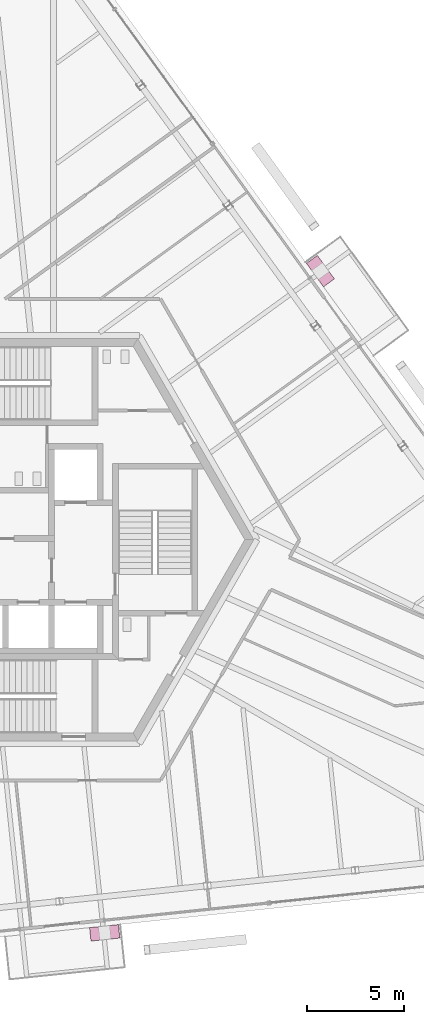
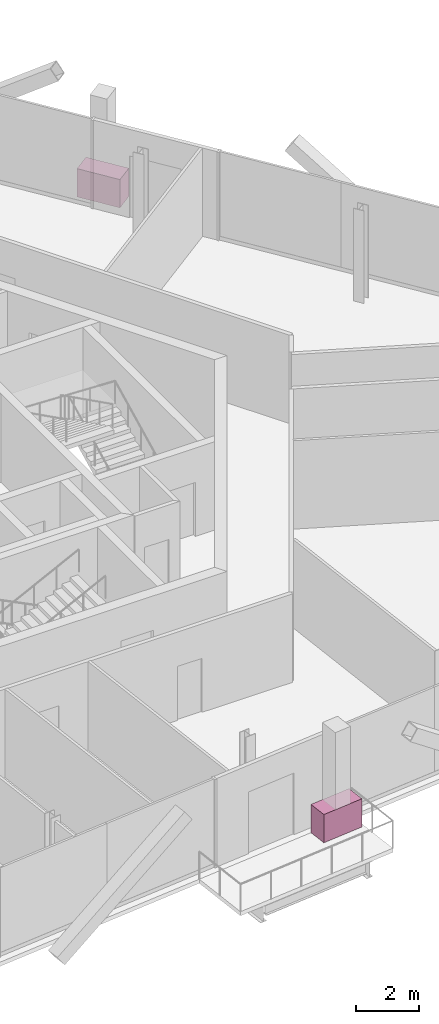
# One storey, part 17 of 18: 2 furniture elements.
"""IFC4 building model written with IfcOpenShell, lengths in metres."""

from ifc_helpers import new_model, si_unit, direction, frame, origin, origin_2d, place, context, subcontext, project, spatial, rectangle, extrude, source, transform, mapped, material, type_object, element, save


model = new_model("IFC4")

# Units and contexts
model_context = context("Model", 3, precision=1e-05, world=origin(), true_north=direction((0.0, 1.0)))
body_context = subcontext(model_context, "Body", "Model", "MODEL_VIEW")
ifc_project = project(units=[si_unit("LENGTHUNIT", "METRE"), si_unit("AREAUNIT", "SQUARE_METRE"), si_unit("VOLUMEUNIT", "CUBIC_METRE"), si_unit("PLANEANGLEUNIT", "RADIAN"), si_unit("MASSUNIT", "GRAM", prefix="KILO")], contexts=[model_context])

# Site, building, storey
site_placement = place(None, origin())
site = spatial("IfcSite", under=ifc_project, at=site_placement, CompositionType="ELEMENT")
building_placement = place(site_placement, origin())
building = spatial("IfcBuilding", under=site, at=building_placement, Name="Triune Harvest Tower", CompositionType="ELEMENT")
storey_placement = place(building_placement, frame((0.0, 0.0, 230.5)))
storey = spatial("IfcBuildingStorey", under=building, at=storey_placement, Name="L60", CompositionType="ELEMENT", Elevation=230.5)

# Furniture
ifc_material = material(Name="Concrete 40 MPa", Category="concrete")
furniture_type = type_object("IfcFurnitureType", Name="PB-1 structural planter", AssemblyPlace="SITE", PredefinedType="USERDEFINED", material=ifc_material)
shared_shape = source(origin(), body_context, "Body", "SweptSolid", [
    extrude(rectangle(XDim=1.5, YDim=0.699951171875, at=origin_2d()), origin(), (0.0, 0.0, 1.0), 1.10009765625),
])
for number, where, z_axis, x_axis, name in (
    (1, (15.4453125, 13.879150390625, 0.0), (0.0, 0.0, 1.0), (-0.587785672066, 0.809016689391, 0.0), "Planter B6-F1 L60.6b"),
    (2, (4.297119140625, -20.3154296875, 0.0), (0.0, 0.0, 1.0), (0.994521747579, 0.104529869379, 0.0), "Planter B6-F5 L60.6b"),
):
    element("IfcFurniture", number, at=place(storey_placement, frame(where, z_axis=z_axis, x_axis=x_axis)), inside=storey, type_object=furniture_type, Name=name, ObjectType="PLANTER", PredefinedType="USERDEFINED", context=body_context, shape_type="MappedRepresentation", body=[
        mapped(shared_shape, transform((0.0, 0.0, 0.0), scale=1.0)),
    ])

save(model, "model.ifc")
